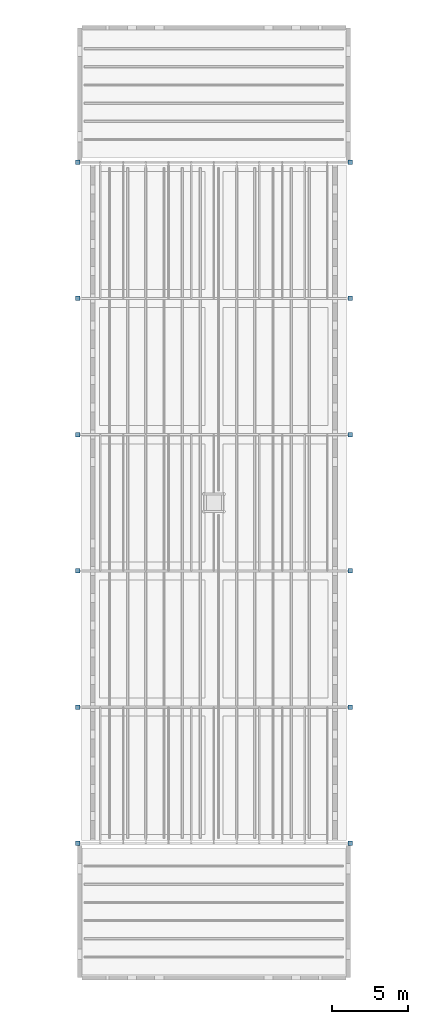
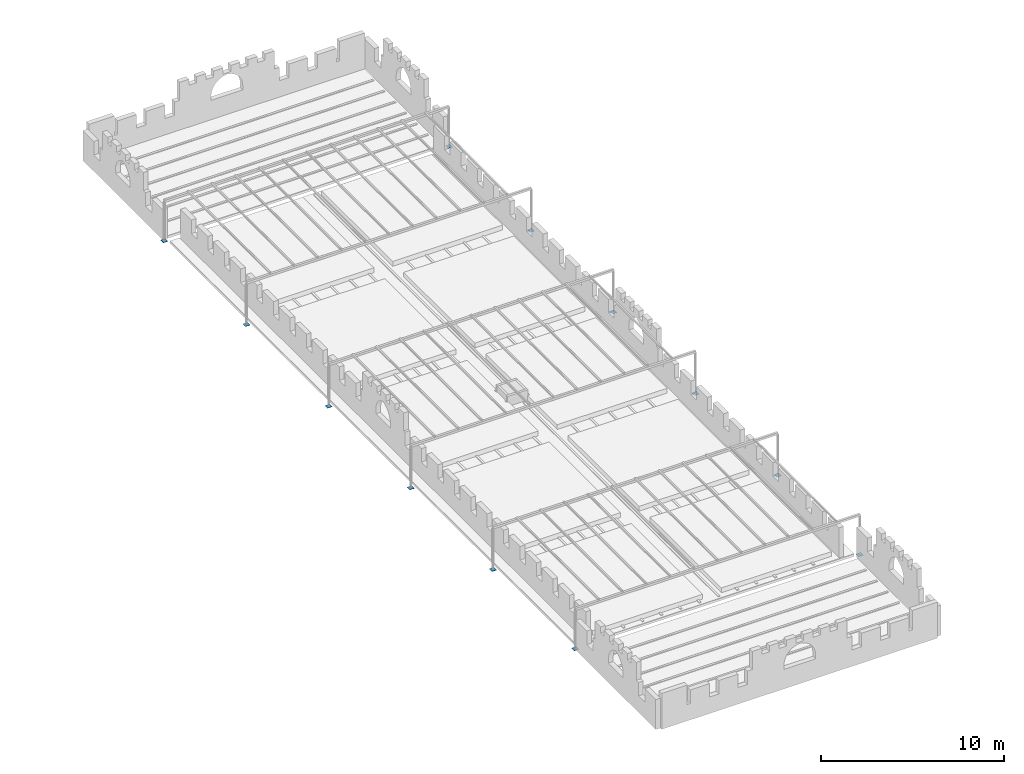
# One storey, part 25 of 37: 12 discrete accessories.
"""IFC4 building model written with IfcOpenShell, lengths in metres."""

import ifcopenshell
import ifcopenshell.guid

model = None  # the IFC model being written
_history = None  # IfcOwnerHistory: only IFC2X3 demands one
_inside = {}  # id of a spatial element -> (the spatial element, [elements in it])
_under = {}  # id of a project, library or spatial element -> (it, [spatial elements below it])
_declared = {}  # id of a project -> (the project, [libraries it declares])
_typed = {}  # id of a type object -> (the type object, [elements of that type])
_made_of = {}  # id of a material, layer set ... -> (it, [elements and type objects made of it])


def new_model(schema):
    """Start an empty IFC model of exactly this schema.

    Asked for "IFC4X3", IfcOpenShell would pick the latest addendum, in which some entities
    have other attributes; the version numbers below select the first issue.
    IFC2X3 requires an IfcOwnerHistory on every rooted entity: one is made here for all.
    """
    global model, _history
    if schema == "IFC4X3":
        model = ifcopenshell.file(schema_version=(4, 3, 0, 0))
    else:
        model = ifcopenshell.file(schema=schema)
    _inside.clear()
    _under.clear()
    _declared.clear()
    _typed.clear()
    _made_of.clear()
    _history = None
    if model.schema == "IFC2X3":
        org = make("IfcOrganization", Name="unknown")
        user = make(
            "IfcPersonAndOrganization",
            ThePerson=make("IfcPerson", FamilyName="unknown"),
            TheOrganization=org,
        )
        app = make(
            "IfcApplication",
            ApplicationDeveloper=org,
            Version="unknown",
            ApplicationFullName="unknown",
            ApplicationIdentifier="unknown",
        )
        _history = make(
            "IfcOwnerHistory",
            OwningUser=user,
            OwningApplication=app,
            ChangeAction="ADDED",
            CreationDate=0,
        )
    return model


def make(cls, **values):
    """One entity of the class cls with the attributes given. An attribute that is None is left unset."""
    return model.create_entity(
        cls, **{name: value for name, value in values.items() if value is not None}
    )


def rooted(cls, **values):
    """An entity with a GlobalId (a new one), such as an element, a storey or a relation."""
    return make(cls, GlobalId=ifcopenshell.guid.new(), OwnerHistory=_history, **values)


def si_unit(unit_type, name, prefix=None):
    """IfcSIUnit, for example si_unit("LENGTHUNIT", "METRE", prefix="MILLI")."""
    return make("IfcSIUnit", UnitType=unit_type, Prefix=prefix, Name=name)


def assignment(units):
    """IfcUnitAssignment: the units of a project."""
    return None if units is None else make("IfcUnitAssignment", Units=units)


def point(xyz):
    """IfcCartesianPoint."""
    return None if xyz is None else make("IfcCartesianPoint", Coordinates=xyz)


def direction(xyz):
    """IfcDirection."""
    return None if xyz is None else make("IfcDirection", DirectionRatios=xyz)


def frame(location, z_axis=None, x_axis=None):
    """IfcAxis2Placement3D, a coordinate frame: its origin and axes. An axis left out is left unset."""
    return make(
        "IfcAxis2Placement3D",
        Location=point(location),
        Axis=direction(z_axis),
        RefDirection=direction(x_axis),
    )


def frame_2d(location, x_axis=None):
    """IfcAxis2Placement2D, a coordinate frame in the plane: its origin and x axis."""
    return make(
        "IfcAxis2Placement2D", Location=point(location), RefDirection=direction(x_axis)
    )


def origin():
    """The frame at (0, 0, 0) with its axes left unset."""
    return frame((0.0, 0.0, 0.0))


def origin_2d():
    """The frame at (0, 0) in the plane with its x axis left unset."""
    return frame_2d((0.0, 0.0))


def place(relative_to, where):
    """IfcLocalPlacement: puts the frame where relative to a parent placement (None: the world)."""
    return make(
        "IfcLocalPlacement", PlacementRelTo=relative_to, RelativePlacement=where
    )


def context(
    kind, dimensions, precision=None, world=None, true_north=None, identifier=None
):
    """IfcGeometricRepresentationContext, for example the 3D "Model" context."""
    return make(
        "IfcGeometricRepresentationContext",
        ContextIdentifier=identifier,
        ContextType=kind,
        CoordinateSpaceDimension=dimensions,
        Precision=precision,
        WorldCoordinateSystem=world,
        TrueNorth=true_north,
    )


def subcontext(parent, identifier, kind, view, scale=None):
    """IfcGeometricRepresentationSubContext, for example "Body" below "Model"."""
    return make(
        "IfcGeometricRepresentationSubContext",
        ContextIdentifier=identifier,
        ContextType=kind,
        ParentContext=parent,
        TargetScale=scale,
        TargetView=view,
    )


def project(units=None, contexts=None):
    """IfcProject with its units and contexts."""
    return rooted(
        "IfcProject",
        Name="project",
        RepresentationContexts=contexts,
        UnitsInContext=assignment(units),
    )


def spatial(cls, under=None, at=None, **own):
    """A site, building, storey or space (cls), placed at a placement, below another one or the project."""
    s = rooted(cls, ObjectPlacement=at, **own)
    if under is not None:
        _under.setdefault(under.id(), (under, []))[1].append(s)
    return s


def profile(cls, at=None, kind="AREA", **sizes):
    """A parametric profile (cls). Its sizes go by their IFC names, for example OverallWidth=200.0."""
    return make(cls, ProfileType=kind, Position=at, **sizes)


def rectangle(**sizes):
    """IfcRectangleProfileDef."""
    return profile("IfcRectangleProfileDef", **sizes)


def extrude(swept, where, along, depth):
    """IfcExtrudedAreaSolid: the profile swept, set in the frame where, extruded along a direction by depth."""
    return make(
        "IfcExtrudedAreaSolid",
        SweptArea=swept,
        Position=where,
        ExtrudedDirection=direction(along),
        Depth=depth,
    )


def shape(context_of_items, identifier, shape_type, items):
    """IfcShapeRepresentation: the items that make up one representation, for example the "Body"."""
    return make(
        "IfcShapeRepresentation",
        ContextOfItems=context_of_items,
        RepresentationIdentifier=identifier,
        RepresentationType=shape_type,
        Items=items,
    )


def material(Name=None, Category=None):
    """IfcMaterial."""
    return make("IfcMaterial", Name=Name, Category=Category)


def made_of(thing, what):
    """Note that an element or type object is made of a material, layer set ...; save() writes the relation."""
    if what is not None:
        _made_of.setdefault(what.id(), (what, []))[1].append(thing)
    return thing


def type_object(cls, material=None, **own):
    """A type object (cls), such as IfcWallType, which elements share."""
    return made_of(rooted(cls, **own), material)


def element(
    cls,
    number,
    at=None,
    inside=None,
    cuts=None,
    type_object=None,
    material=None,
    context=None,
    identifier="Body",
    shape_type=None,
    held_by="IfcProductDefinitionShape",
    body=None,
    shapes=None,
    **own,
):
    """One element of the class cls, such as IfcWall. Its Tag is "e" and its number.

    at: its placement. inside: the storey or other place that contains it. cuts: it is an
    opening in that element (IfcRelVoidsElement). A single representation is given by context,
    identifier, shape_type and body (its items); several are given by shapes. held_by: the class
    of the entity that holds the representations. save() writes the other relations.
    """
    e = rooted(cls, Tag="e%d" % number, ObjectPlacement=at, **own)
    if body is not None:
        shapes = [shape(context, identifier, shape_type, body)]
    if shapes is not None:
        e.Representation = make(held_by, Representations=shapes)
    if inside is not None:
        _inside.setdefault(inside.id(), (inside, []))[1].append(e)
    if cuts is not None:
        rooted(
            "IfcRelVoidsElement", RelatingBuildingElement=cuts, RelatedOpeningElement=e
        )
    if type_object is not None:
        _typed.setdefault(type_object.id(), (type_object, []))[1].append(e)
    return made_of(e, material)


def aggregate(whole, parts):
    """IfcRelAggregates: a whole, such as a stair, and the parts it consists of."""
    return rooted("IfcRelAggregates", RelatingObject=whole, RelatedObjects=parts)


def save(model, path):
    """Write the relations noted so far, then the file.

    IfcRelAggregates (storeys below a building ...), IfcRelContainedInSpatialStructure (elements
    in a storey), IfcRelDefinesByType, IfcRelAssociatesMaterial and IfcRelDeclares: one each for
    every whole, place, type object, material and project.
    """
    for whole, parts in _under.values():
        aggregate(whole, parts)
    for where, things in _inside.values():
        rooted(
            "IfcRelContainedInSpatialStructure",
            RelatedElements=things,
            RelatingStructure=where,
        )
    for kind, things in _typed.values():
        rooted("IfcRelDefinesByType", RelatedObjects=things, RelatingType=kind)
    for what, things in _made_of.values():
        rooted("IfcRelAssociatesMaterial", RelatedObjects=things, RelatingMaterial=what)
    for by, libraries in _declared.values():
        rooted("IfcRelDeclares", RelatingContext=by, RelatedDefinitions=libraries)
    model.write(path)


model = new_model("IFC4")

# Units and contexts
model_context = context("Model", 3, precision=1e-05, world=origin(), true_north=direction((0.0, 1.0)))
body_context = subcontext(model_context, "Body", "Model", "MODEL_VIEW")
ifc_project = project(units=[si_unit("LENGTHUNIT", "METRE"), si_unit("AREAUNIT", "SQUARE_METRE"), si_unit("VOLUMEUNIT", "CUBIC_METRE"), si_unit("PLANEANGLEUNIT", "RADIAN"), si_unit("MASSUNIT", "GRAM", prefix="KILO")], contexts=[model_context])

# Site, building, storey
site_placement = place(None, origin())
site = spatial("IfcSite", under=ifc_project, at=site_placement, CompositionType="ELEMENT")
building_placement = place(site_placement, origin())
building = spatial("IfcBuilding", under=site, at=building_placement, Name="Baradari Gate Terminus", CompositionType="ELEMENT")
storey_placement = place(building_placement, frame((0.0, 0.0, 24.300048828125)))
storey = spatial("IfcBuildingStorey", under=building, at=storey_placement, Name="L05", CompositionType="ELEMENT", Elevation=24.300048828125)

# Discrete accessories
ifc_material = material(Name="Steel S355", Category="steel")
discrete_accessory_type = type_object("IfcDiscreteAccessoryType", Name="Pergola base plate PGP-1 300x300x12", PredefinedType="BRACKET", material=ifc_material)
for number, where, z_axis, x_axis, name in (
    (1, (72.0, 36.0, 0.0), (0.0, 0.0, 1.0), (1.0, 0.0, 0.0), "Pergola base plate G1"),
    (2, (90.0, 36.0, 0.0), (0.0, 0.0, 1.0), (1.0, 0.0, 0.0), "Pergola base plate G1"),
    (3, (90.0, 45.0, -0.14990234375), (0.0, 0.0, 1.0), (1.0, 0.0, 0.0), "Pergola base plate G1"),
    (4, (72.0, 45.0, -0.14990234375), (0.0, 0.0, 1.0), (1.0, 0.0, 0.0), "Pergola base plate G1"),
    (5, (72.0, 54.0, -0.14990234375), (0.0, 0.0, 1.0), (1.0, 0.0, 0.0), "Pergola base plate G2"),
    (6, (90.0, 54.0, -0.14990234375), (0.0, 0.0, 1.0), (1.0, 0.0, 0.0), "Pergola base plate G2"),
    (7, (90.0, 63.0, -0.14990234375), (0.0, 0.0, 1.0), (1.0, 0.0, 0.0), "Pergola base plate G2"),
    (8, (72.0, 63.0, -0.14990234375), (0.0, 0.0, 1.0), (1.0, 0.0, 0.0), "Pergola base plate G2"),
    (9, (72.0, 72.0, -0.14990234375), (0.0, 0.0, 1.0), (1.0, 0.0, 0.0), "Pergola base plate G3"),
    (10, (90.0, 72.0, -0.14990234375), (0.0, 0.0, 1.0), (1.0, 0.0, 0.0), "Pergola base plate G3"),
    (11, (90.0, 81.0, 0.0), (0.0, 0.0, 1.0), (1.0, 0.0, 0.0), "Pergola base plate G3"),
    (12, (72.0, 81.0, 0.0), (0.0, 0.0, 1.0), (1.0, 0.0, 0.0), "Pergola base plate G3"),
):
    element("IfcDiscreteAccessory", number, at=place(storey_placement, frame(where, z_axis=z_axis, x_axis=x_axis)), inside=storey, type_object=discrete_accessory_type, Name=name, PredefinedType="BRACKET", context=body_context, shape_type="SweptSolid", body=[
        extrude(rectangle(XDim=0.300048828125, YDim=0.300048828125, at=origin_2d()), origin(), (0.0, 0.0, 1.0), 0.011962890625),
    ])

save(model, "model.ifc")
